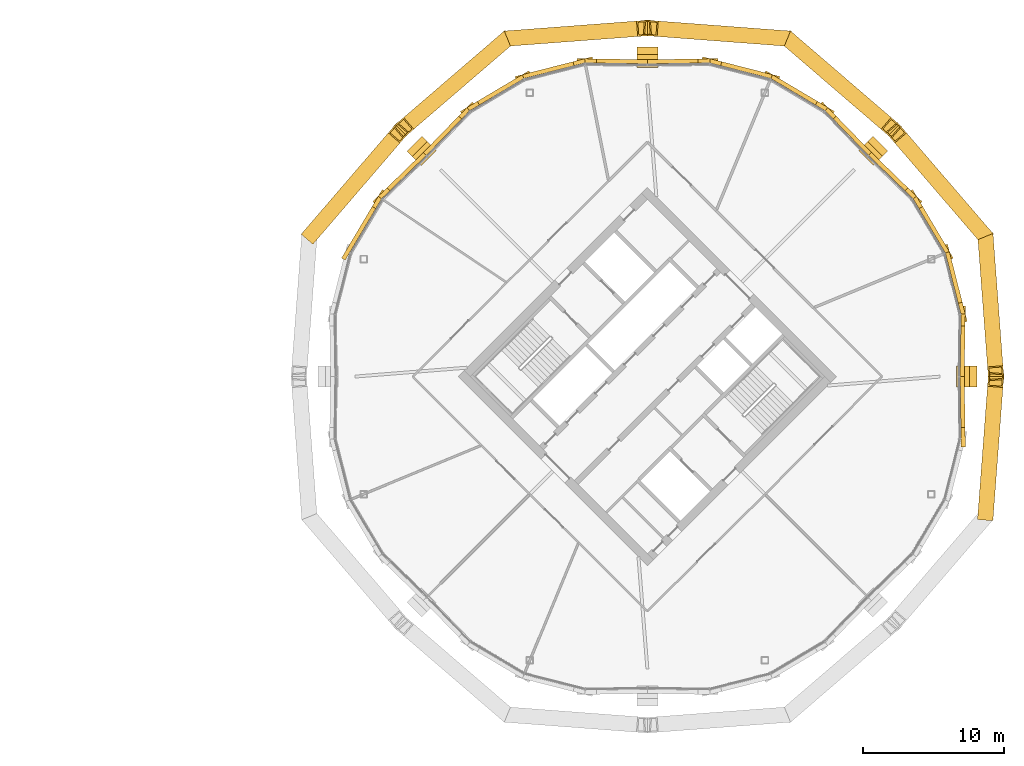
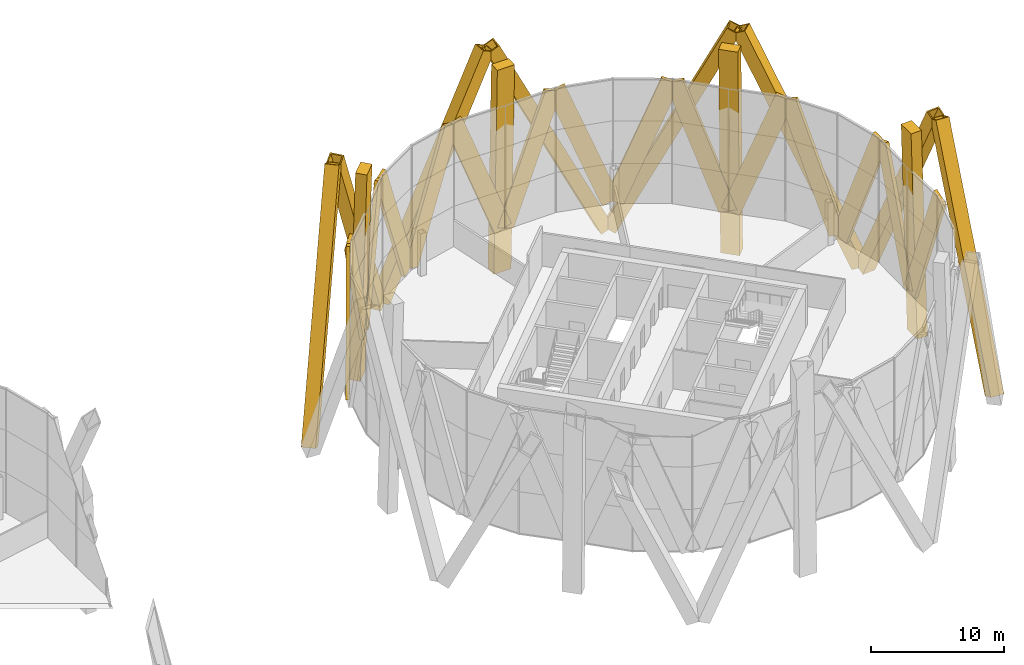
# One storey, part 23 of 23: 27 coverings.
"""IFC4 building model written with IfcOpenShell, lengths in metres."""

import ifcopenshell
import ifcopenshell.guid

model = None  # the IFC model being written
_history = None  # IfcOwnerHistory: only IFC2X3 demands one
_inside = {}  # id of a spatial element -> (the spatial element, [elements in it])
_under = {}  # id of a project, library or spatial element -> (it, [spatial elements below it])
_declared = {}  # id of a project -> (the project, [libraries it declares])
_typed = {}  # id of a type object -> (the type object, [elements of that type])
_made_of = {}  # id of a material, layer set ... -> (it, [elements and type objects made of it])


def new_model(schema):
    """Start an empty IFC model of exactly this schema.

    Asked for "IFC4X3", IfcOpenShell would pick the latest addendum, in which some entities
    have other attributes; the version numbers below select the first issue.
    IFC2X3 requires an IfcOwnerHistory on every rooted entity: one is made here for all.
    """
    global model, _history
    if schema == "IFC4X3":
        model = ifcopenshell.file(schema_version=(4, 3, 0, 0))
    else:
        model = ifcopenshell.file(schema=schema)
    _inside.clear()
    _under.clear()
    _declared.clear()
    _typed.clear()
    _made_of.clear()
    _history = None
    if model.schema == "IFC2X3":
        org = make("IfcOrganization", Name="unknown")
        user = make(
            "IfcPersonAndOrganization",
            ThePerson=make("IfcPerson", FamilyName="unknown"),
            TheOrganization=org,
        )
        app = make(
            "IfcApplication",
            ApplicationDeveloper=org,
            Version="unknown",
            ApplicationFullName="unknown",
            ApplicationIdentifier="unknown",
        )
        _history = make(
            "IfcOwnerHistory",
            OwningUser=user,
            OwningApplication=app,
            ChangeAction="ADDED",
            CreationDate=0,
        )
    return model


def make(cls, **values):
    """One entity of the class cls with the attributes given. An attribute that is None is left unset."""
    return model.create_entity(
        cls, **{name: value for name, value in values.items() if value is not None}
    )


def rooted(cls, **values):
    """An entity with a GlobalId (a new one), such as an element, a storey or a relation."""
    return make(cls, GlobalId=ifcopenshell.guid.new(), OwnerHistory=_history, **values)


def si_unit(unit_type, name, prefix=None):
    """IfcSIUnit, for example si_unit("LENGTHUNIT", "METRE", prefix="MILLI")."""
    return make("IfcSIUnit", UnitType=unit_type, Prefix=prefix, Name=name)


def assignment(units):
    """IfcUnitAssignment: the units of a project."""
    return None if units is None else make("IfcUnitAssignment", Units=units)


def point(xyz):
    """IfcCartesianPoint."""
    return None if xyz is None else make("IfcCartesianPoint", Coordinates=xyz)


def direction(xyz):
    """IfcDirection."""
    return None if xyz is None else make("IfcDirection", DirectionRatios=xyz)


def frame(location, z_axis=None, x_axis=None):
    """IfcAxis2Placement3D, a coordinate frame: its origin and axes. An axis left out is left unset."""
    return make(
        "IfcAxis2Placement3D",
        Location=point(location),
        Axis=direction(z_axis),
        RefDirection=direction(x_axis),
    )


def frame_2d(location, x_axis=None):
    """IfcAxis2Placement2D, a coordinate frame in the plane: its origin and x axis."""
    return make(
        "IfcAxis2Placement2D", Location=point(location), RefDirection=direction(x_axis)
    )


def origin():
    """The frame at (0, 0, 0) with its axes left unset."""
    return frame((0.0, 0.0, 0.0))


def origin_2d():
    """The frame at (0, 0) in the plane with its x axis left unset."""
    return frame_2d((0.0, 0.0))


def place(relative_to, where):
    """IfcLocalPlacement: puts the frame where relative to a parent placement (None: the world)."""
    return make(
        "IfcLocalPlacement", PlacementRelTo=relative_to, RelativePlacement=where
    )


def context(
    kind, dimensions, precision=None, world=None, true_north=None, identifier=None
):
    """IfcGeometricRepresentationContext, for example the 3D "Model" context."""
    return make(
        "IfcGeometricRepresentationContext",
        ContextIdentifier=identifier,
        ContextType=kind,
        CoordinateSpaceDimension=dimensions,
        Precision=precision,
        WorldCoordinateSystem=world,
        TrueNorth=true_north,
    )


def subcontext(parent, identifier, kind, view, scale=None):
    """IfcGeometricRepresentationSubContext, for example "Body" below "Model"."""
    return make(
        "IfcGeometricRepresentationSubContext",
        ContextIdentifier=identifier,
        ContextType=kind,
        ParentContext=parent,
        TargetScale=scale,
        TargetView=view,
    )


def project(units=None, contexts=None):
    """IfcProject with its units and contexts."""
    return rooted(
        "IfcProject",
        Name="project",
        RepresentationContexts=contexts,
        UnitsInContext=assignment(units),
    )


def spatial(cls, under=None, at=None, **own):
    """A site, building, storey or space (cls), placed at a placement, below another one or the project."""
    s = rooted(cls, ObjectPlacement=at, **own)
    if under is not None:
        _under.setdefault(under.id(), (under, []))[1].append(s)
    return s


def profile(cls, at=None, kind="AREA", **sizes):
    """A parametric profile (cls). Its sizes go by their IFC names, for example OverallWidth=200.0."""
    return make(cls, ProfileType=kind, Position=at, **sizes)


def rectangle(**sizes):
    """IfcRectangleProfileDef."""
    return profile("IfcRectangleProfileDef", **sizes)


def hollow_rectangle(**sizes):
    """IfcRectangleHollowProfileDef."""
    return profile("IfcRectangleHollowProfileDef", **sizes)


def extrude(swept, where, along, depth):
    """IfcExtrudedAreaSolid: the profile swept, set in the frame where, extruded along a direction by depth."""
    return make(
        "IfcExtrudedAreaSolid",
        SweptArea=swept,
        Position=where,
        ExtrudedDirection=direction(along),
        Depth=depth,
    )


def shape(context_of_items, identifier, shape_type, items):
    """IfcShapeRepresentation: the items that make up one representation, for example the "Body"."""
    return make(
        "IfcShapeRepresentation",
        ContextOfItems=context_of_items,
        RepresentationIdentifier=identifier,
        RepresentationType=shape_type,
        Items=items,
    )


def material(Name=None, Category=None):
    """IfcMaterial."""
    return make("IfcMaterial", Name=Name, Category=Category)


def material_profile(
    of_material, cross_section, Name=None, Category=None, Priority=None
):
    """IfcMaterialProfile: a cross section and its material."""
    return make(
        "IfcMaterialProfile",
        Name=Name,
        Material=of_material,
        Profile=cross_section,
        Priority=Priority,
        Category=Category,
    )


def profile_set(profiles, Name=None, composite=None):
    """IfcMaterialProfileSet."""
    return make(
        "IfcMaterialProfileSet",
        Name=Name,
        MaterialProfiles=profiles,
        CompositeProfile=composite,
    )


def made_of(thing, what):
    """Note that an element or type object is made of a material, layer set ...; save() writes the relation."""
    if what is not None:
        _made_of.setdefault(what.id(), (what, []))[1].append(thing)
    return thing


def type_object(cls, material=None, **own):
    """A type object (cls), such as IfcWallType, which elements share."""
    return made_of(rooted(cls, **own), material)


def element(
    cls,
    number,
    at=None,
    inside=None,
    cuts=None,
    type_object=None,
    material=None,
    context=None,
    identifier="Body",
    shape_type=None,
    held_by="IfcProductDefinitionShape",
    body=None,
    shapes=None,
    **own,
):
    """One element of the class cls, such as IfcWall. Its Tag is "e" and its number.

    at: its placement. inside: the storey or other place that contains it. cuts: it is an
    opening in that element (IfcRelVoidsElement). A single representation is given by context,
    identifier, shape_type and body (its items); several are given by shapes. held_by: the class
    of the entity that holds the representations. save() writes the other relations.
    """
    e = rooted(cls, Tag="e%d" % number, ObjectPlacement=at, **own)
    if body is not None:
        shapes = [shape(context, identifier, shape_type, body)]
    if shapes is not None:
        e.Representation = make(held_by, Representations=shapes)
    if inside is not None:
        _inside.setdefault(inside.id(), (inside, []))[1].append(e)
    if cuts is not None:
        rooted(
            "IfcRelVoidsElement", RelatingBuildingElement=cuts, RelatedOpeningElement=e
        )
    if type_object is not None:
        _typed.setdefault(type_object.id(), (type_object, []))[1].append(e)
    return made_of(e, material)


def aggregate(whole, parts):
    """IfcRelAggregates: a whole, such as a stair, and the parts it consists of."""
    return rooted("IfcRelAggregates", RelatingObject=whole, RelatedObjects=parts)


def save(model, path):
    """Write the relations noted so far, then the file.

    IfcRelAggregates (storeys below a building ...), IfcRelContainedInSpatialStructure (elements
    in a storey), IfcRelDefinesByType, IfcRelAssociatesMaterial and IfcRelDeclares: one each for
    every whole, place, type object, material and project.
    """
    for whole, parts in _under.values():
        aggregate(whole, parts)
    for where, things in _inside.values():
        rooted(
            "IfcRelContainedInSpatialStructure",
            RelatedElements=things,
            RelatingStructure=where,
        )
    for kind, things in _typed.values():
        rooted("IfcRelDefinesByType", RelatedObjects=things, RelatingType=kind)
    for what, things in _made_of.values():
        rooted("IfcRelAssociatesMaterial", RelatedObjects=things, RelatingMaterial=what)
    for by, libraries in _declared.values():
        rooted("IfcRelDeclares", RelatingContext=by, RelatedDefinitions=libraries)
    model.write(path)


model = new_model("IFC4")

# Units and contexts
model_context = context("Model", 3, precision=1e-05, world=origin(), true_north=direction((0.0, 1.0)))
body_context = subcontext(model_context, "Body", "Model", "MODEL_VIEW")
ifc_project = project(units=[si_unit("LENGTHUNIT", "METRE"), si_unit("AREAUNIT", "SQUARE_METRE"), si_unit("VOLUMEUNIT", "CUBIC_METRE"), si_unit("PLANEANGLEUNIT", "RADIAN"), si_unit("MASSUNIT", "GRAM", prefix="KILO")], contexts=[model_context])

# Site, building, storey
site_placement = place(None, origin())
site = spatial("IfcSite", under=ifc_project, at=site_placement, CompositionType="ELEMENT")
building_placement = place(site_placement, origin())
building = spatial("IfcBuilding", under=site, at=building_placement, Name="Ogive Gate Towers", CompositionType="ELEMENT")
storey_placement = place(building_placement, frame((0.0, 0.0, 165.60009765625)))
storey = spatial("IfcBuildingStorey", under=building, at=storey_placement, Name="L39", CompositionType="ELEMENT", Elevation=165.60009765625)

# Coverings
ifc_material_1 = material(Name="Pale metal aluminium", Category="aluminium")
ifc_material_profile_1 = material_profile(ifc_material_1, rectangle(XDim=1.5, YDim=0.89990234375, at=origin_2d()), Name="1500 x 900 pale metal aluminium")
ifc_profile_set_1 = profile_set([ifc_material_profile_1], Name="Pale metal aluminium")
covering_type_1 = type_object("IfcCoveringType", Name="Crease colonnette 1500 x 900", PredefinedType="CLADDING", material=ifc_profile_set_1)
for number, where, z_axis, x_axis, name in (
    (1, (58.949951171875, 0.0, -4.10009765625), (-0.027885430639, 0.0, 0.999611125767), (0.0, -1.0, 0.0), "Crease colonnette"),
    (2, (52.22802734375, 16.22802734375, -4.10009765625), (-0.019716323733, -0.019716323733, 0.999611190992), (0.707106781187, -0.707106781187, 0.0), "Crease colonnette"),
    (3, (36.0, 22.949951171875, -4.10009765625), (0.0, -0.027885430639, 0.999611125767), (1.0, 0.0, 0.0), "Crease colonnette"),
    (4, (19.77197265625, 16.22802734375, -4.10009765625), (0.019716323733, -0.019716323733, 0.999611190992), (0.707106781187, 0.707106781187, 0.0), "Crease colonnette"),
):
    element("IfcCovering", number, at=place(storey_placement, frame(where, z_axis=z_axis, x_axis=x_axis)), inside=storey, type_object=covering_type_1, Name=name, PredefinedType="CLADDING", context=body_context, shape_type="SweptSolid", body=[
        extrude(rectangle(XDim=1.5, YDim=0.89990234375, at=origin_2d()), origin(), (0.0, 0.0, 1.0), 19.00732421875),
    ])
ifc_material_2 = material(Name="Pale metal aluminium cladding", Category="aluminium")
ifc_material_profile_2 = material_profile(ifc_material_2, hollow_rectangle(XDim=1.10009765625, YDim=1.10009765625, WallThickness=0.10009765625, at=origin_2d()), Name="1100 x 1100 pale metal casing")
ifc_profile_set_2 = profile_set([ifc_material_profile_2], Name="Pale metal aluminium cladding")
covering_type_2 = type_object("IfcCoveringType", Name="Diagrid casing 1100 x 1100", PredefinedType="CLADDING", material=ifc_profile_set_2)
covering_1_placement = place(storey_placement, frame((60.02978515625, 9.705078125, -4.305908203125), z_axis=(0.032958717845, -0.437999553394, 0.898370811049), x_axis=(0.997180814037, 0.075036152058, 0.0)))
element("IfcCovering", 5, at=covering_1_placement, inside=storey, type_object=covering_type_2, Name="Diagrid casing", PredefinedType="CLADDING", context=body_context, shape_type="SweptSolid", body=[
    extrude(hollow_rectangle(XDim=1.10009765625, YDim=1.10009765625, WallThickness=0.10009765625, at=origin_2d()), origin(), (0.0, 0.0, 1.0), 21.607666015625),
])
for number, where, z_axis, x_axis, name in (
    (6, (59.85400390625, 10.129150390625, -4.305908203125), (-0.28640402055, 0.333011902228, 0.898373981139), (-0.758169681127, -0.652057309307, 0.0), "Diagrid casing"),
    (7, (46.129150390625, 23.85400390625, -4.305908203125), (0.333011902228, -0.28640402055, 0.898373981139), (0.652057309307, 0.758169681127, 0.0), "Diagrid casing"),
):
    element("IfcCovering", number, at=place(storey_placement, frame(where, z_axis=z_axis, x_axis=x_axis)), inside=storey, type_object=covering_type_2, Name=name, PredefinedType="CLADDING", context=body_context, shape_type="SweptSolid", body=[
        extrude(hollow_rectangle(XDim=1.10009765625, YDim=1.10009765625, WallThickness=0.10009765625, at=origin_2d()), origin(), (0.0, 0.0, 1.0), 21.607421875),
    ])
for number, where, z_axis, x_axis, name in (
    (8, (45.705078125, 24.02978515625, -4.305908203125), (-0.437999553394, 0.032958717845, 0.898370811049), (-0.075036152058, -0.997180814037, 0.0), "Diagrid casing"),
    (9, (26.294921875, 24.02978515625, -4.305908203125), (0.437999553394, 0.032958717845, 0.898370811049), (-0.075036152058, 0.997180814037, 0.0), "Diagrid casing"),
):
    element("IfcCovering", number, at=place(storey_placement, frame(where, z_axis=z_axis, x_axis=x_axis)), inside=storey, type_object=covering_type_2, Name=name, PredefinedType="CLADDING", context=body_context, shape_type="SweptSolid", body=[
        extrude(hollow_rectangle(XDim=1.10009765625, YDim=1.10009765625, WallThickness=0.10009765625, at=origin_2d()), origin(), (0.0, 0.0, 1.0), 21.607666015625),
    ])
for number, where, z_axis, x_axis, name in (
    (10, (25.870849609375, 23.85400390625, -4.305908203125), (-0.333011902228, -0.28640402055, 0.898373981139), (0.652057309307, -0.758169681127, 0.0), "Diagrid casing"),
    (11, (12.14599609375, 10.129150390625, -4.305908203125), (0.28640402055, 0.333011902228, 0.898373981139), (-0.758169681127, 0.652057309307, 0.0), "Diagrid casing"),
):
    element("IfcCovering", number, at=place(storey_placement, frame(where, z_axis=z_axis, x_axis=x_axis)), inside=storey, type_object=covering_type_2, Name=name, PredefinedType="CLADDING", context=body_context, shape_type="SweptSolid", body=[
        extrude(hollow_rectangle(XDim=1.10009765625, YDim=1.10009765625, WallThickness=0.10009765625, at=origin_2d()), origin(), (0.0, 0.0, 1.0), 21.607421875),
    ])
covering_2_placement = place(storey_placement, frame((60.02978515625, -9.705078125, -4.305908203125), z_axis=(0.032958717845, 0.437999553394, 0.898370811049), x_axis=(-0.997180814037, 0.075036152058, 0.0)))
element("IfcCovering", 12, at=covering_2_placement, inside=storey, type_object=covering_type_2, Name="Diagrid casing", PredefinedType="CLADDING", context=body_context, shape_type="SweptSolid", body=[
    extrude(hollow_rectangle(XDim=1.10009765625, YDim=1.10009765625, WallThickness=0.10009765625, at=origin_2d()), origin(), (0.0, 0.0, 1.0), 21.607666015625),
])
ifc_material_profile_3 = material_profile(ifc_material_1, rectangle(XDim=0.300048828125, YDim=1.5, at=origin_2d()), Name="1500 x 300 pale metal aluminium")
ifc_profile_set_3 = profile_set([ifc_material_profile_3], Name="Pale metal aluminium")
covering_type_3 = type_object("IfcCoveringType", Name="Facade fin 1500 x 300", PredefinedType="CLADDING", material=ifc_profile_set_3)
covering_3_placement = place(storey_placement, frame((58.361572265625, 0.09765625, 0.016357421875), z_axis=(0.005423429266, 0.355162442023, 0.934788867173), x_axis=(-0.999883429689, 0.015268498055, 0.0)))
element("IfcCovering", 13, at=covering_3_placement, inside=storey, type_object=covering_type_3, Name="Facade fin", PredefinedType="CLADDING", context=body_context, shape_type="SweptSolid", body=[
    extrude(rectangle(XDim=0.300048828125, YDim=1.5, at=origin_2d()), origin(), (0.0, 0.0, 1.0), 11.839111328125),
])
for number, where, z_axis, x_axis, name in (
    (14, (57.341552734375, 8.693359375, 0.01953125), (0.088835791205, -0.348319514277, 0.933156856147), (0.968982257622, 0.247130298452, 0.0), "Facade fin"),
    (15, (57.23779296875, 8.94384765625, 0.01953125), (-0.183480829235, 0.309103817281, 0.933161087619), (-0.859915265798, -0.510436808671, 0.0), "Facade fin"),
):
    element("IfcCovering", number, at=place(storey_placement, frame(where, z_axis=z_axis, x_axis=x_axis)), inside=storey, type_object=covering_type_3, Name=name, PredefinedType="CLADDING", context=body_context, shape_type="SweptSolid", body=[
        extrude(rectangle(XDim=0.300048828125, YDim=1.5, at=origin_2d()), origin(), (0.0, 0.0, 1.0), 11.85302734375),
    ])
for number, where, z_axis, x_axis, name in (
    (16, (51.881103515625, 15.742919921875, 0.016357421875), (0.25496435911, -0.247293157105, 0.934793704532), (0.696225623066, 0.717823015643, 0.0), "Facade fin"),
    (17, (51.742919921875, 15.881103515625, 0.016357421875), (-0.247293157105, 0.25496435911, 0.934793704532), (-0.717823015643, -0.696225623066, 0.0), "Facade fin"),
):
    element("IfcCovering", number, at=place(storey_placement, frame(where, z_axis=z_axis, x_axis=x_axis)), inside=storey, type_object=covering_type_3, Name=name, PredefinedType="CLADDING", context=body_context, shape_type="SweptSolid", body=[
        extrude(rectangle(XDim=0.300048828125, YDim=1.5, at=origin_2d()), origin(), (0.0, 0.0, 1.0), 11.839111328125),
    ])
for number, where, z_axis, x_axis, name in (
    (18, (44.94384765625, 21.23779296875, 0.01953125), (0.309103817281, -0.183480829235, 0.933161087619), (0.510436808671, 0.859915265798, 0.0), "Facade fin"),
    (19, (44.693359375, 21.341552734375, 0.01953125), (-0.348319514277, 0.088835791205, 0.933156856147), (-0.247130298452, -0.968982257622, 0.0), "Facade fin"),
):
    element("IfcCovering", number, at=place(storey_placement, frame(where, z_axis=z_axis, x_axis=x_axis)), inside=storey, type_object=covering_type_3, Name=name, PredefinedType="CLADDING", context=body_context, shape_type="SweptSolid", body=[
        extrude(rectangle(XDim=0.300048828125, YDim=1.5, at=origin_2d()), origin(), (0.0, 0.0, 1.0), 11.85302734375),
    ])
for number, where, z_axis, x_axis, name in (
    (20, (36.09765625, 22.361572265625, 0.016357421875), (0.355162442023, 0.005423429266, 0.934788867173), (-0.015268498055, 0.999883429689, 0.0), "Facade fin"),
    (21, (35.90234375, 22.361572265625, 0.016357421875), (-0.355162442023, 0.005423429266, 0.934788867173), (-0.015268498055, -0.999883429689, 0.0), "Facade fin"),
):
    element("IfcCovering", number, at=place(storey_placement, frame(where, z_axis=z_axis, x_axis=x_axis)), inside=storey, type_object=covering_type_3, Name=name, PredefinedType="CLADDING", context=body_context, shape_type="SweptSolid", body=[
        extrude(rectangle(XDim=0.300048828125, YDim=1.5, at=origin_2d()), origin(), (0.0, 0.0, 1.0), 11.839111328125),
    ])
for number, where, z_axis, x_axis, name in (
    (22, (27.306640625, 21.341552734375, 0.01953125), (0.348319514277, 0.088835791205, 0.933156856147), (-0.247130298452, 0.968982257622, 0.0), "Facade fin"),
    (23, (27.05615234375, 21.23779296875, 0.01953125), (-0.309103817281, -0.183480829235, 0.933161087619), (0.510436808671, -0.859915265798, 0.0), "Facade fin"),
):
    element("IfcCovering", number, at=place(storey_placement, frame(where, z_axis=z_axis, x_axis=x_axis)), inside=storey, type_object=covering_type_3, Name=name, PredefinedType="CLADDING", context=body_context, shape_type="SweptSolid", body=[
        extrude(rectangle(XDim=0.300048828125, YDim=1.5, at=origin_2d()), origin(), (0.0, 0.0, 1.0), 11.85302734375),
    ])
for number, where, z_axis, x_axis, name in (
    (24, (20.257080078125, 15.881103515625, 0.016357421875), (0.247293157105, 0.25496435911, 0.934793704532), (-0.717823015643, 0.696225623066, 0.0), "Facade fin"),
    (25, (20.118896484375, 15.742919921875, 0.016357421875), (-0.25496435911, -0.247293157105, 0.934793704532), (0.696225623066, -0.717823015643, 0.0), "Facade fin"),
):
    element("IfcCovering", number, at=place(storey_placement, frame(where, z_axis=z_axis, x_axis=x_axis)), inside=storey, type_object=covering_type_3, Name=name, PredefinedType="CLADDING", context=body_context, shape_type="SweptSolid", body=[
        extrude(rectangle(XDim=0.300048828125, YDim=1.5, at=origin_2d()), origin(), (0.0, 0.0, 1.0), 11.839111328125),
    ])
covering_4_placement = place(storey_placement, frame((14.76220703125, 8.94384765625, 0.01953125), z_axis=(0.183480829235, 0.309103817281, 0.933161087619), x_axis=(-0.859915265798, 0.510436808671, 0.0)))
element("IfcCovering", 26, at=covering_4_placement, inside=storey, type_object=covering_type_3, Name="Facade fin", PredefinedType="CLADDING", context=body_context, shape_type="SweptSolid", body=[
    extrude(rectangle(XDim=0.300048828125, YDim=1.5, at=origin_2d()), origin(), (0.0, 0.0, 1.0), 11.85302734375),
])
covering_5_placement = place(storey_placement, frame((58.361572265625, -0.09765625, 0.016357421875), z_axis=(0.005423429266, -0.355162442023, 0.934788867173), x_axis=(0.999883429689, 0.015268498055, 0.0)))
element("IfcCovering", 27, at=covering_5_placement, inside=storey, type_object=covering_type_3, Name="Facade fin", PredefinedType="CLADDING", context=body_context, shape_type="SweptSolid", body=[
    extrude(rectangle(XDim=0.300048828125, YDim=1.5, at=origin_2d()), origin(), (0.0, 0.0, 1.0), 11.839111328125),
])

save(model, "model.ifc")
